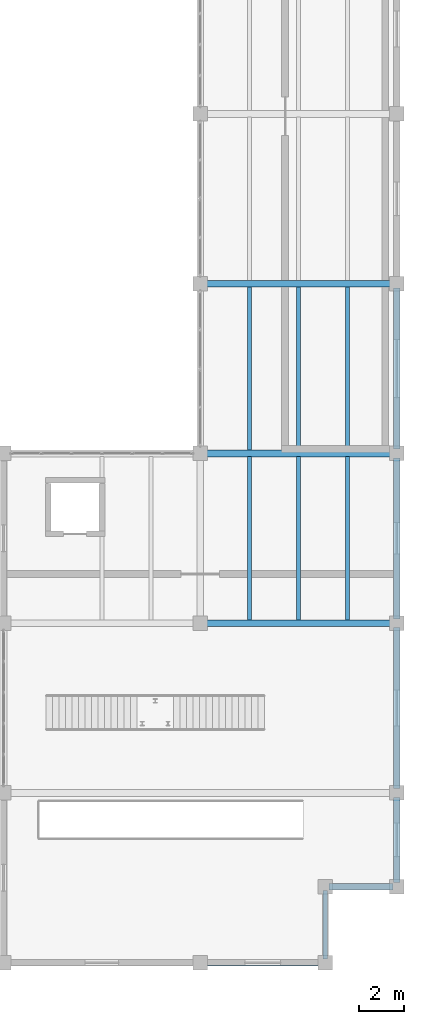
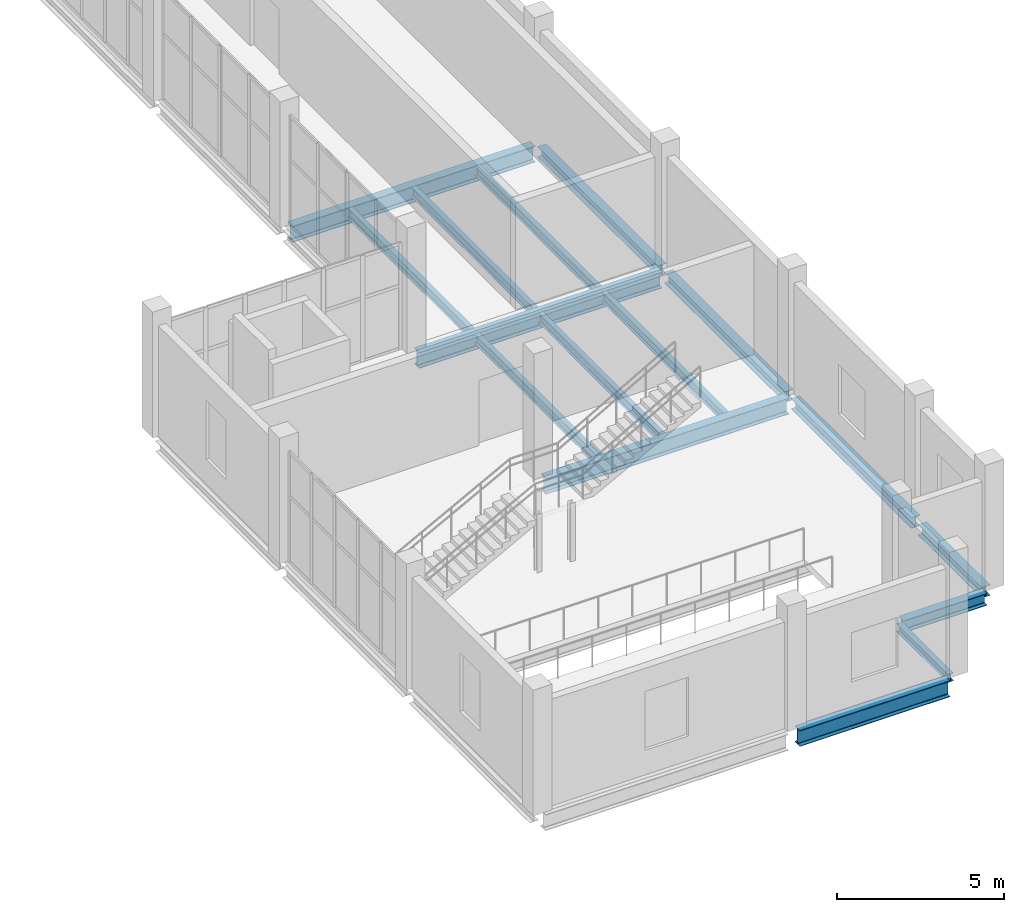
# One storey, part 98 of 172: 16 beams.
"""IFC4 building model written with IfcOpenShell, lengths in metres."""

from ifc_helpers import new_model, si_unit, direction, frame, origin, origin_2d, place, context, subcontext, project, spatial, i_section, extrude, material, material_profile, profile_set, type_object, element, save


model = new_model("IFC4")

# Units and contexts
model_context = context("Model", 3, precision=1e-05, world=origin(), true_north=direction((0.0, 1.0)))
body_context = subcontext(model_context, "Body", "Model", "MODEL_VIEW")
ifc_project = project(units=[si_unit("LENGTHUNIT", "METRE"), si_unit("AREAUNIT", "SQUARE_METRE"), si_unit("VOLUMEUNIT", "CUBIC_METRE"), si_unit("PLANEANGLEUNIT", "RADIAN"), si_unit("MASSUNIT", "GRAM", prefix="KILO")], contexts=[model_context])

# Site, building, storey
site_placement = place(None, origin())
site = spatial("IfcSite", under=ifc_project, at=site_placement, CompositionType="ELEMENT")
building_placement = place(site_placement, origin())
building = spatial("IfcBuilding", under=site, at=building_placement, Name="Shengluoqiao Park Theatre", CompositionType="ELEMENT")
storey_placement = place(building_placement, frame((0.0, 0.0, 5.39990234375)))
storey = spatial("IfcBuildingStorey", under=building, at=storey_placement, Name="L01", CompositionType="ELEMENT", Elevation=5.39990234375)

# Beams
ifc_material = material(Name="Steel Q355", Category="steel")
ifc_material_profile_1 = material_profile(ifc_material, i_section(OverallWidth=0.199951171875, OverallDepth=0.2939453125, WebThickness=0.008056640625, FlangeThickness=0.011962890625, FilletRadius=0.01611328125, at=origin_2d()), Name="HM 294x200x8x12")
ifc_profile_set_1 = profile_set([ifc_material_profile_1], Name="Steel Q355")
beam_type_1 = type_object("IfcBeamType", Name="STR-BM-G-HM294", PredefinedType="BEAM", material=ifc_profile_set_1)
beam_1_placement = place(storey_placement, frame((162.800048828125, 0.159912109375, -0.386962890625), z_axis=(0.0, 1.0, 0.0), x_axis=(-1.0, 0.0, 0.0)))
element("IfcBeam", 1, at=beam_1_placement, inside=storey, type_object=beam_type_1, Name="L01 V6 Corner Step Girder 009", PredefinedType="BEAM", context=body_context, shape_type="SweptSolid", body=[
    extrude(i_section(OverallWidth=0.199951171875, OverallDepth=0.2939453125, WebThickness=0.008056640625, FlangeThickness=0.011962890625, FilletRadius=0.01611328125, at=origin_2d()), origin(), (0.0, 0.0, 1.0), 3.080078125),
])
ifc_material_profile_2 = material_profile(ifc_material, i_section(OverallWidth=0.300048828125, OverallDepth=0.389892578125, WebThickness=0.010009765625, FlangeThickness=0.01611328125, FilletRadius=0.01806640625, at=origin_2d()), Name="HM 390x300x10x16")
ifc_profile_set_2 = profile_set([ifc_material_profile_2], Name="Steel Q355")
beam_type_2 = type_object("IfcBeamType", Name="STR-BM-G-HM390", PredefinedType="BEAM", material=ifc_profile_set_2)
beam_2_placement = place(storey_placement, frame((166.0, 22.993896484375, -0.434814453125), z_axis=(0.0, 1.0, 0.0), x_axis=(-1.0, 0.0, 0.0)))
element("IfcBeam", 2, at=beam_2_placement, inside=storey, type_object=beam_type_2, Name="L01 Transverse Girder 00743", PredefinedType="BEAM", context=body_context, shape_type="SweptSolid", body=[
    extrude(i_section(OverallWidth=0.300048828125, OverallDepth=0.389892578125, WebThickness=0.010009765625, FlangeThickness=0.01611328125, FilletRadius=0.01806640625, at=origin_2d()), origin(), (0.0, 0.0, 1.0), 7.212158203125),
])
beam_3_placement = place(storey_placement, frame((166.0, 3.593994140625, -0.434814453125), z_axis=(0.0, 1.0, 0.0), x_axis=(-1.0, 0.0, 0.0)))
element("IfcBeam", 3, at=beam_3_placement, inside=storey, type_object=beam_type_2, Name="L01 Transverse Girder 00779", PredefinedType="BEAM", context=body_context, shape_type="SweptSolid", body=[
    extrude(i_section(OverallWidth=0.300048828125, OverallDepth=0.389892578125, WebThickness=0.010009765625, FlangeThickness=0.01611328125, FilletRadius=0.01806640625, at=origin_2d()), origin(), (0.0, 0.0, 1.0), 3.81201171875),
])
beam_4_placement = place(storey_placement, frame((166.0, 7.7939453125, -0.434814453125), z_axis=(0.0, 1.0, 0.0), x_axis=(-1.0, 0.0, 0.0)))
element("IfcBeam", 4, at=beam_4_placement, inside=storey, type_object=beam_type_2, Name="L01 Transverse Girder 00780", PredefinedType="BEAM", context=body_context, shape_type="SweptSolid", body=[
    extrude(i_section(OverallWidth=0.300048828125, OverallDepth=0.389892578125, WebThickness=0.010009765625, FlangeThickness=0.01611328125, FilletRadius=0.01806640625, at=origin_2d()), origin(), (0.0, 0.0, 1.0), 7.212158203125),
])
beam_5_placement = place(storey_placement, frame((166.0, 15.39404296875, -0.434814453125), z_axis=(0.0, 1.0, 0.0), x_axis=(-1.0, 0.0, 0.0)))
element("IfcBeam", 5, at=beam_5_placement, inside=storey, type_object=beam_type_2, Name="L01 Transverse Girder 00781", PredefinedType="BEAM", context=body_context, shape_type="SweptSolid", body=[
    extrude(i_section(OverallWidth=0.300048828125, OverallDepth=0.389892578125, WebThickness=0.010009765625, FlangeThickness=0.01611328125, FilletRadius=0.01806640625, at=origin_2d()), origin(), (0.0, 0.0, 1.0), 7.2119140625),
])
ifc_material_profile_3 = material_profile(ifc_material, i_section(OverallWidth=0.300048828125, OverallDepth=0.43994140625, WebThickness=0.010986328125, FlangeThickness=0.01806640625, FilletRadius=0.02001953125, at=origin_2d()), Name="HM 440x300x11x18")
ifc_profile_set_3 = profile_set([ifc_material_profile_3], Name="Steel Q355")
beam_type_3 = type_object("IfcBeamType", Name="STR-BM-G-HM440", PredefinedType="BEAM", material=ifc_profile_set_3)
beam_6_placement = place(storey_placement, frame((162.9599609375, 3.39990234375, -0.4599609375), z_axis=(1.0, 0.0, 0.0), x_axis=(0.0, 1.0, 0.0)))
element("IfcBeam", 6, at=beam_6_placement, inside=storey, type_object=beam_type_3, Name="L01 V6 Corner Step Girder 010", PredefinedType="BEAM", context=body_context, shape_type="SweptSolid", body=[
    extrude(i_section(OverallWidth=0.300048828125, OverallDepth=0.43994140625, WebThickness=0.010986328125, FlangeThickness=0.01806640625, FilletRadius=0.02001953125, at=origin_2d()), origin(), (0.0, 0.0, 1.0), 2.880126953125),
])
ifc_material_profile_4 = material_profile(ifc_material, i_section(OverallWidth=0.300048828125, OverallDepth=0.587890625, WebThickness=0.011962890625, FlangeThickness=0.02001953125, FilletRadius=0.02392578125, at=origin_2d()), Name="HM 588x300x12x20")
ifc_profile_set_4 = profile_set([ifc_material_profile_4], Name="Steel Q355")
beam_type_4 = type_object("IfcBeamType", Name="STR-BM-G-HM588", PredefinedType="BEAM", material=ifc_profile_set_4)
for number, where, z_axis, x_axis, name in (
    (7, (157.39794921875, 22.800048828125, -0.533935546875), (1.0, 0.0, 0.0), (0.0, 1.0, 0.0), "L01 Primary Girder 00730"),
    (8, (157.39794921875, 30.39990234375, -0.533935546875), (1.0, 0.0, 0.0), (0.0, 1.0, 0.0), "L01 Primary Girder 00731"),
):
    element("IfcBeam", number, at=place(storey_placement, frame(where, z_axis=z_axis, x_axis=x_axis)), inside=storey, type_object=beam_type_4, Name=name, PredefinedType="BEAM", context=body_context, shape_type="SweptSolid", body=[
        extrude(i_section(OverallWidth=0.300048828125, OverallDepth=0.587890625, WebThickness=0.011962890625, FlangeThickness=0.02001953125, FilletRadius=0.02392578125, at=origin_2d()), origin(), (0.0, 0.0, 1.0), 8.404052734375),
    ])
beam_7_placement = place(storey_placement, frame((157.39794921875, 0.0, -0.533935546875), z_axis=(1.0, 0.0, 0.0), x_axis=(0.0, 1.0, 0.0)))
element("IfcBeam", 9, at=beam_7_placement, inside=storey, type_object=beam_type_4, Name="L01 Primary Girder 00770", PredefinedType="BEAM", context=body_context, shape_type="SweptSolid", body=[
    extrude(i_section(OverallWidth=0.300048828125, OverallDepth=0.587890625, WebThickness=0.011962890625, FlangeThickness=0.02001953125, FilletRadius=0.02392578125, at=origin_2d()), origin(), (0.0, 0.0, 1.0), 5.2041015625),
])
beam_8_placement = place(storey_placement, frame((157.39794921875, 15.199951171875, -0.533935546875), z_axis=(1.0, 0.0, 0.0), x_axis=(0.0, 1.0, 0.0)))
element("IfcBeam", 10, at=beam_8_placement, inside=storey, type_object=beam_type_4, Name="L01 Primary Girder 00773", PredefinedType="BEAM", context=body_context, shape_type="SweptSolid", body=[
    extrude(i_section(OverallWidth=0.300048828125, OverallDepth=0.587890625, WebThickness=0.011962890625, FlangeThickness=0.02001953125, FilletRadius=0.02392578125, at=origin_2d()), origin(), (0.0, 0.0, 1.0), 8.404052734375),
])
ifc_material_profile_5 = material_profile(ifc_material, i_section(OverallWidth=0.175048828125, OverallDepth=0.35009765625, WebThickness=0.007080078125, FlangeThickness=0.010986328125, FilletRadius=0.013916015625, at=origin_2d()), Name="HN 350x175x7x11")
ifc_profile_set_5 = profile_set([ifc_material_profile_5], Name="Steel Q355")
beam_type_5 = type_object("IfcBeamType", Name="STR-BM-J-HN350", PredefinedType="JOIST", material=ifc_profile_set_5)
for number, where, z_axis, x_axis, name in (
    (11, (159.39990234375, 22.945068359375, -0.414794921875), (0.0, 1.0, 0.0), (-1.0, 0.0, 0.0), "L01 Composite Joist 00751"),
    (12, (161.60009765625, 22.945068359375, -0.414794921875), (0.0, 1.0, 0.0), (-1.0, 0.0, 0.0), "L01 Composite Joist 00752"),
    (13, (163.800048828125, 22.945068359375, -0.414794921875), (0.0, 1.0, 0.0), (-1.0, 0.0, 0.0), "L01 Composite Joist 00753"),
):
    element("IfcBeam", number, at=place(storey_placement, frame(where, z_axis=z_axis, x_axis=x_axis)), inside=storey, type_object=beam_type_5, Name=name, PredefinedType="JOIST", context=body_context, shape_type="SweptSolid", body=[
        extrude(i_section(OverallWidth=0.175048828125, OverallDepth=0.35009765625, WebThickness=0.007080078125, FlangeThickness=0.010986328125, FilletRadius=0.013916015625, at=origin_2d()), origin(), (0.0, 0.0, 1.0), 7.309814453125),
    ])
for number, where, z_axis, x_axis, name in (
    (14, (159.39990234375, 15.344970703125, -0.414794921875), (0.0, 1.0, 0.0), (-1.0, 0.0, 0.0), "L01 Composite Joist 00784"),
    (15, (161.60009765625, 15.344970703125, -0.414794921875), (0.0, 1.0, 0.0), (-1.0, 0.0, 0.0), "L01 Composite Joist 00785"),
    (16, (163.800048828125, 15.344970703125, -0.414794921875), (0.0, 1.0, 0.0), (-1.0, 0.0, 0.0), "L01 Composite Joist 00786"),
):
    element("IfcBeam", number, at=place(storey_placement, frame(where, z_axis=z_axis, x_axis=x_axis)), inside=storey, type_object=beam_type_5, Name=name, PredefinedType="JOIST", context=body_context, shape_type="SweptSolid", body=[
        extrude(i_section(OverallWidth=0.175048828125, OverallDepth=0.35009765625, WebThickness=0.007080078125, FlangeThickness=0.010986328125, FilletRadius=0.013916015625, at=origin_2d()), origin(), (0.0, 0.0, 1.0), 7.31005859375),
    ])

save(model, "model.ifc")
